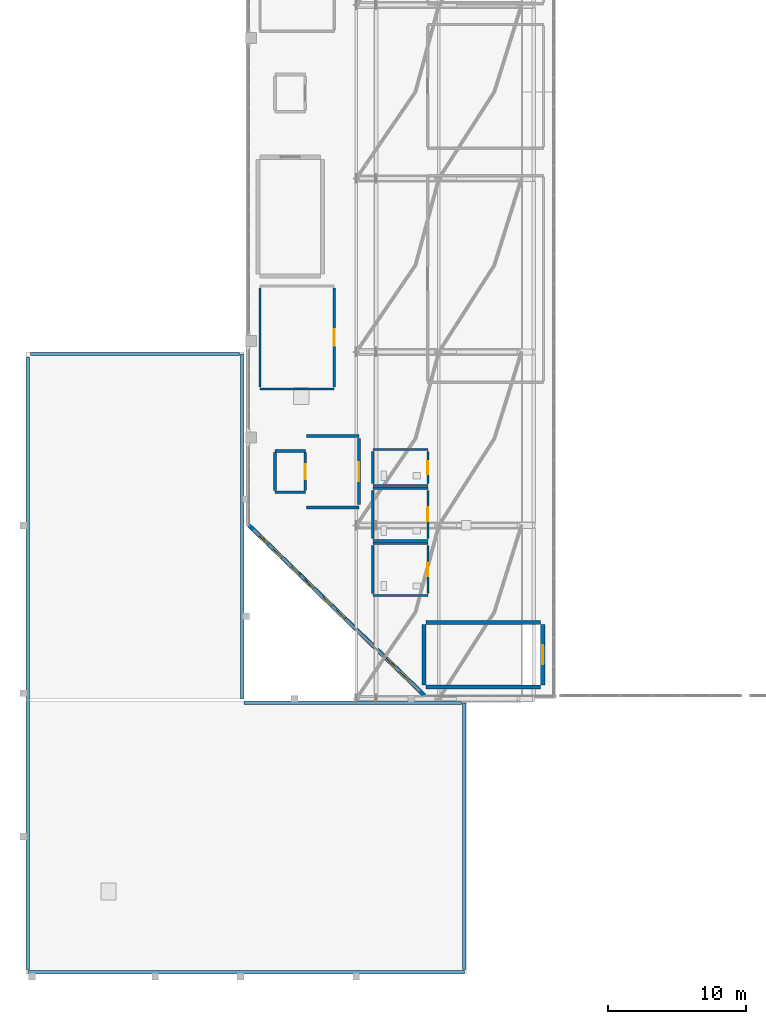
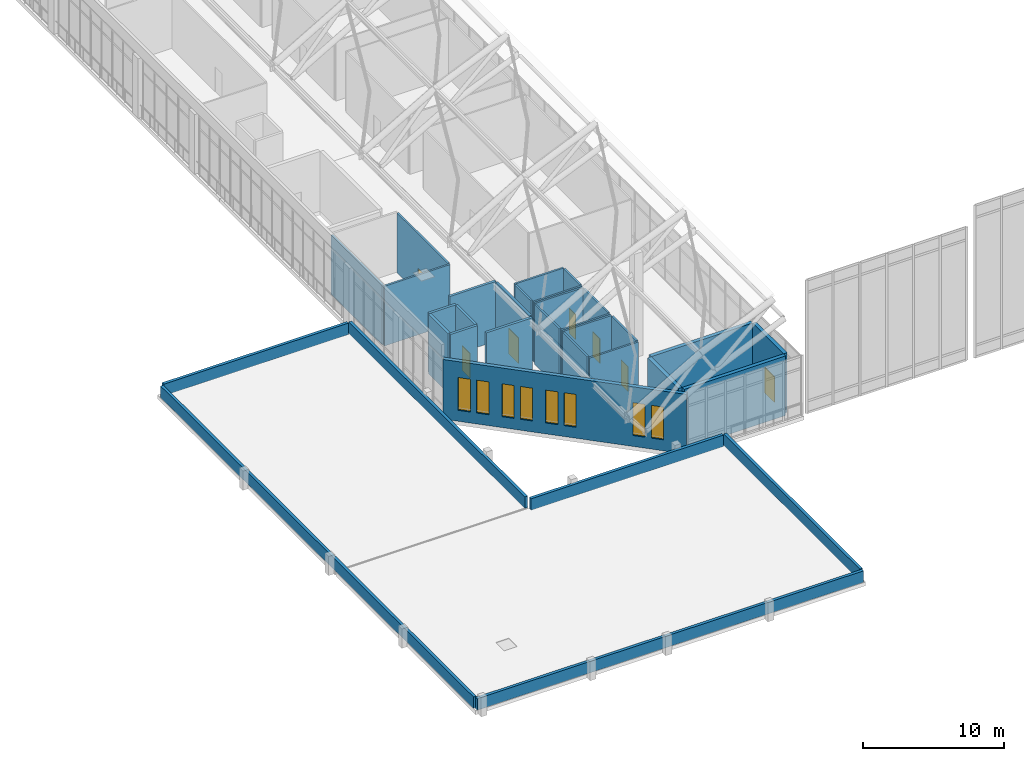
# One storey, part 36 of 42: 33 walls, 8 windows, 7 doors, 15 openings.
"""IFC4 building model written with IfcOpenShell, lengths in metres."""

from ifc_helpers import new_model, si_unit, derived_unit, direction, frame, frame_2d, origin, place, context, subcontext, project, spatial, rectangle, extrude, material, layer, layer_set, type_object, element, fill, save


model = new_model("IFC4")

# Units and contexts
model_context = context("Model", 3, precision=1e-05, world=origin(), true_north=direction((0.0, 1.0)))
body_context = subcontext(model_context, "Body", "Model", "MODEL_VIEW")
ifc_project = project(units=[si_unit("LENGTHUNIT", "METRE"), si_unit("AREAUNIT", "SQUARE_METRE"), si_unit("VOLUMEUNIT", "CUBIC_METRE"), si_unit("PLANEANGLEUNIT", "RADIAN"), si_unit("MASSUNIT", "GRAM", prefix="KILO"), derived_unit("THERMALTRANSMITTANCEUNIT", [(si_unit("MASSUNIT", "GRAM", prefix="KILO"), 1), (si_unit("TIMEUNIT", "SECOND"), -3), (si_unit("THERMODYNAMICTEMPERATUREUNIT", "KELVIN"), -1)])], contexts=[model_context])

# Site, building, storey
site_placement = place(None, origin())
site = spatial("IfcSite", under=ifc_project, at=site_placement, CompositionType="ELEMENT")
building_placement = place(site_placement, origin())
building = spatial("IfcBuilding", under=site, at=building_placement, Name="Valcora Ridge Arena", CompositionType="ELEMENT")
storey_placement = place(building_placement, frame((0.0, 0.0, 26.39990234375)))
storey = spatial("IfcBuildingStorey", under=building, at=storey_placement, Name="L05", CompositionType="ELEMENT", Elevation=26.39990234375)

# Wall, openings, windows
ifc_material_1 = material(Name="Bush-hammered Andean travertine on concrete backup C40/50", Category="masonry")
ifc_layer_1 = layer(ifc_material_1, 0.300048828125, Name="Bush-hammered Andean travertine on concrete backup C40/50")
ifc_layer_set_1 = layer_set([ifc_layer_1], Name="Bush-hammered Andean travertine on concrete backup C40/50")
wall_type_1 = type_object("IfcWallType", Name="TY-WALL-EW-TRV-30-52", PredefinedType="STANDARD", material=ifc_layer_set_1)
wall_1_placement = place(storey_placement, frame((16.199951171875, 32.60009765625, 0.0), z_axis=(0.0, 0.0, 1.0), x_axis=(0.718237441527, -0.695798086796, 0.0)))
wall_1 = element("IfcWall", 1, at=wall_1_placement, inside=storey, type_object=wall_type_1, Name="EW-TRV-30-52 WAL-EW-0063", PredefinedType="STANDARD", context=body_context, shape_type="SweptSolid", body=[
    extrude(rectangle(XDim=17.821533203125, YDim=0.300048828125, at=frame_2d((8.91064453125, 0.0))), origin(), (0.0, 0.0, 1.0), 5.18017578125),
])
opening_1_placement = place(wall_1_placement, frame((1.10009765625, 0.0, 0.949951171875)))
opening_1 = element("IfcOpeningElement", 2, at=opening_1_placement, cuts=wall_1, Name="Opening W-GLAN-90X285", PredefinedType="OPENING", context=body_context, shape_type="SweptSolid", body=[
    extrude(rectangle(XDim=0.89990234375, YDim=2.85009765625, at=frame_2d((0.449951171875, 1.425048828125))), frame((0.0, 0.159912109375, 0.0), z_axis=(0.0, -1.0, 0.0), x_axis=(1.0, 0.0, 0.0)), (0.0, 0.0, 1.0), 0.320068359375),
])
opening_2_placement = place(wall_1_placement, frame((2.449951171875, 0.0, 0.949951171875)))
opening_2 = element("IfcOpeningElement", 3, at=opening_2_placement, cuts=wall_1, Name="Opening W-GLAN-90X285", PredefinedType="OPENING", context=body_context, shape_type="SweptSolid", body=[
    extrude(rectangle(XDim=0.89990234375, YDim=2.85009765625, at=frame_2d((0.449951171875, 1.425048828125))), frame((0.0, 0.159912109375, 0.0), z_axis=(0.0, -1.0, 0.0), x_axis=(1.0, 0.0, 0.0)), (0.0, 0.0, 1.0), 0.320068359375),
])
opening_3_placement = place(wall_1_placement, frame((4.300048828125, 0.0, 0.949951171875)))
opening_3 = element("IfcOpeningElement", 4, at=opening_3_placement, cuts=wall_1, Name="Opening W-GLAN-90X285", PredefinedType="OPENING", context=body_context, shape_type="SweptSolid", body=[
    extrude(rectangle(XDim=0.89990234375, YDim=2.85009765625, at=frame_2d((0.449951171875, 1.425048828125))), frame((0.0, 0.159912109375, 0.0), z_axis=(0.0, -1.0, 0.0), x_axis=(1.0, 0.0, 0.0)), (0.0, 0.0, 1.0), 0.320068359375),
])
opening_4_placement = place(wall_1_placement, frame((5.64990234375, 0.0, 0.949951171875)))
opening_4 = element("IfcOpeningElement", 5, at=opening_4_placement, cuts=wall_1, Name="Opening W-GLAN-90X285", PredefinedType="OPENING", context=body_context, shape_type="SweptSolid", body=[
    extrude(rectangle(XDim=0.89990234375, YDim=2.85009765625, at=frame_2d((0.449951171875, 1.425048828125))), frame((0.0, 0.159912109375, 0.0), z_axis=(0.0, -1.0, 0.0), x_axis=(1.0, 0.0, 0.0)), (0.0, 0.0, 1.0), 0.320068359375),
])
opening_5_placement = place(wall_1_placement, frame((7.5, 0.0, 0.949951171875)))
opening_5 = element("IfcOpeningElement", 6, at=opening_5_placement, cuts=wall_1, Name="Opening W-GLAN-90X285", PredefinedType="OPENING", context=body_context, shape_type="SweptSolid", body=[
    extrude(rectangle(XDim=0.89990234375, YDim=2.85009765625, at=frame_2d((0.449951171875, 1.425048828125))), frame((0.0, 0.159912109375, 0.0), z_axis=(0.0, -1.0, 0.0), x_axis=(1.0, 0.0, 0.0)), (0.0, 0.0, 1.0), 0.320068359375),
])
opening_6_placement = place(wall_1_placement, frame((8.85009765625, 0.0, 0.949951171875)))
opening_6 = element("IfcOpeningElement", 7, at=opening_6_placement, cuts=wall_1, Name="Opening W-GLAN-90X285", PredefinedType="OPENING", context=body_context, shape_type="SweptSolid", body=[
    extrude(rectangle(XDim=0.89990234375, YDim=2.85009765625, at=frame_2d((0.449951171875, 1.425048828125))), frame((0.0, 0.159912109375, 0.0), z_axis=(0.0, -1.0, 0.0), x_axis=(1.0, 0.0, 0.0)), (0.0, 0.0, 1.0), 0.320068359375),
])
opening_7_placement = place(wall_1_placement, frame((13.89990234375, 0.0, 0.949951171875)))
opening_7 = element("IfcOpeningElement", 8, at=opening_7_placement, cuts=wall_1, Name="Opening W-GLAN-90X285", PredefinedType="OPENING", context=body_context, shape_type="SweptSolid", body=[
    extrude(rectangle(XDim=0.89990234375, YDim=2.85009765625, at=frame_2d((0.449951171875, 1.425048828125))), frame((0.0, 0.159912109375, 0.0), z_axis=(0.0, -1.0, 0.0), x_axis=(1.0, 0.0, 0.0)), (0.0, 0.0, 1.0), 0.320068359375),
])
opening_8_placement = place(wall_1_placement, frame((15.25, 0.0, 0.949951171875)))
opening_8 = element("IfcOpeningElement", 9, at=opening_8_placement, cuts=wall_1, Name="Opening W-GLAN-90X285", PredefinedType="OPENING", context=body_context, shape_type="SweptSolid", body=[
    extrude(rectangle(XDim=0.89990234375, YDim=2.85009765625, at=frame_2d((0.449951171875, 1.425048828125))), frame((0.0, 0.159912109375, 0.0), z_axis=(0.0, -1.0, 0.0), x_axis=(1.0, 0.0, 0.0)), (0.0, 0.0, 1.0), 0.320068359375),
])
ifc_material_2 = material(Name="Low-iron solar-control double glazing SHGC 0.28", Category="glass")
window_type = type_object("IfcWindowType", Name="TY-WINDOW-W-GLAN-90X285", PartitioningType="DOUBLE_PANEL_VERTICAL", PredefinedType="WINDOW", material=ifc_material_2)
window_1_placement = place(opening_1_placement, origin())
window_1 = element("IfcWindow", 10, at=window_1_placement, inside=storey, type_object=window_type, Name="W-GLAN-90X285 WIN-EX-0161", OverallHeight=2.85009765625, OverallWidth=0.89990234375, PartitioningType="DOUBLE_PANEL_VERTICAL", PredefinedType="WINDOW", context=body_context, shape_type="SweptSolid", body=[
    extrude(rectangle(XDim=0.89990234375, YDim=2.85009765625, at=frame_2d((0.449951171875, 1.425048828125))), frame((0.0, 0.030029296875, 0.0), z_axis=(0.0, -1.0, 0.0), x_axis=(1.0, 0.0, 0.0)), (0.0, 0.0, 1.0), 0.06005859375),
])
fill(opening_1, window_1)
window_2_placement = place(opening_2_placement, origin())
window_2 = element("IfcWindow", 11, at=window_2_placement, inside=storey, type_object=window_type, Name="W-GLAN-90X285 WIN-EX-0162", OverallHeight=2.85009765625, OverallWidth=0.89990234375, PartitioningType="DOUBLE_PANEL_VERTICAL", PredefinedType="WINDOW", context=body_context, shape_type="SweptSolid", body=[
    extrude(rectangle(XDim=0.89990234375, YDim=2.85009765625, at=frame_2d((0.449951171875, 1.425048828125))), frame((0.0, 0.030029296875, 0.0), z_axis=(0.0, -1.0, 0.0), x_axis=(1.0, 0.0, 0.0)), (0.0, 0.0, 1.0), 0.06005859375),
])
fill(opening_2, window_2)
window_3_placement = place(opening_3_placement, origin())
window_3 = element("IfcWindow", 12, at=window_3_placement, inside=storey, type_object=window_type, Name="W-GLAN-90X285 WIN-EX-0163", OverallHeight=2.85009765625, OverallWidth=0.89990234375, PartitioningType="DOUBLE_PANEL_VERTICAL", PredefinedType="WINDOW", context=body_context, shape_type="SweptSolid", body=[
    extrude(rectangle(XDim=0.89990234375, YDim=2.85009765625, at=frame_2d((0.449951171875, 1.425048828125))), frame((0.0, 0.030029296875, 0.0), z_axis=(0.0, -1.0, 0.0), x_axis=(1.0, 0.0, 0.0)), (0.0, 0.0, 1.0), 0.06005859375),
])
fill(opening_3, window_3)
window_4_placement = place(opening_4_placement, origin())
window_4 = element("IfcWindow", 13, at=window_4_placement, inside=storey, type_object=window_type, Name="W-GLAN-90X285 WIN-EX-0164", OverallHeight=2.85009765625, OverallWidth=0.89990234375, PartitioningType="DOUBLE_PANEL_VERTICAL", PredefinedType="WINDOW", context=body_context, shape_type="SweptSolid", body=[
    extrude(rectangle(XDim=0.89990234375, YDim=2.85009765625, at=frame_2d((0.449951171875, 1.425048828125))), frame((0.0, 0.030029296875, 0.0), z_axis=(0.0, -1.0, 0.0), x_axis=(1.0, 0.0, 0.0)), (0.0, 0.0, 1.0), 0.06005859375),
])
fill(opening_4, window_4)
window_5_placement = place(opening_5_placement, origin())
window_5 = element("IfcWindow", 14, at=window_5_placement, inside=storey, type_object=window_type, Name="W-GLAN-90X285 WIN-EX-0165", OverallHeight=2.85009765625, OverallWidth=0.89990234375, PartitioningType="DOUBLE_PANEL_VERTICAL", PredefinedType="WINDOW", context=body_context, shape_type="SweptSolid", body=[
    extrude(rectangle(XDim=0.89990234375, YDim=2.85009765625, at=frame_2d((0.449951171875, 1.425048828125))), frame((0.0, 0.030029296875, 0.0), z_axis=(0.0, -1.0, 0.0), x_axis=(1.0, 0.0, 0.0)), (0.0, 0.0, 1.0), 0.06005859375),
])
fill(opening_5, window_5)
window_6_placement = place(opening_6_placement, origin())
window_6 = element("IfcWindow", 15, at=window_6_placement, inside=storey, type_object=window_type, Name="W-GLAN-90X285 WIN-EX-0166", OverallHeight=2.85009765625, OverallWidth=0.89990234375, PartitioningType="DOUBLE_PANEL_VERTICAL", PredefinedType="WINDOW", context=body_context, shape_type="SweptSolid", body=[
    extrude(rectangle(XDim=0.89990234375, YDim=2.85009765625, at=frame_2d((0.449951171875, 1.425048828125))), frame((0.0, 0.030029296875, 0.0), z_axis=(0.0, -1.0, 0.0), x_axis=(1.0, 0.0, 0.0)), (0.0, 0.0, 1.0), 0.06005859375),
])
fill(opening_6, window_6)
window_7_placement = place(opening_7_placement, origin())
window_7 = element("IfcWindow", 16, at=window_7_placement, inside=storey, type_object=window_type, Name="W-GLAN-90X285 WIN-EX-0167", OverallHeight=2.85009765625, OverallWidth=0.89990234375, PartitioningType="DOUBLE_PANEL_VERTICAL", PredefinedType="WINDOW", context=body_context, shape_type="SweptSolid", body=[
    extrude(rectangle(XDim=0.89990234375, YDim=2.85009765625, at=frame_2d((0.449951171875, 1.425048828125))), frame((0.0, 0.030029296875, 0.0), z_axis=(0.0, -1.0, 0.0), x_axis=(1.0, 0.0, 0.0)), (0.0, 0.0, 1.0), 0.06005859375),
])
fill(opening_7, window_7)
window_8_placement = place(opening_8_placement, origin())
window_8 = element("IfcWindow", 17, at=window_8_placement, inside=storey, type_object=window_type, Name="W-GLAN-90X285 WIN-EX-0168", OverallHeight=2.85009765625, OverallWidth=0.89990234375, PartitioningType="DOUBLE_PANEL_VERTICAL", PredefinedType="WINDOW", context=body_context, shape_type="SweptSolid", body=[
    extrude(rectangle(XDim=0.89990234375, YDim=2.85009765625, at=frame_2d((0.449951171875, 1.425048828125))), frame((0.0, 0.030029296875, 0.0), z_axis=(0.0, -1.0, 0.0), x_axis=(1.0, 0.0, 0.0)), (0.0, 0.0, 1.0), 0.06005859375),
])
fill(opening_8, window_8)

# Walls
ifc_material_3 = material(Name="Fire-rated masonry-core compartment wall C35/45 150 mm", Category="masonry")
ifc_layer_2 = layer(ifc_material_3, 0.14990234375, Name="Fire-rated masonry-core compartment wall C35/45 150 mm")
ifc_layer_set_2 = layer_set([ifc_layer_2], Name="Fire-rated masonry-core compartment wall C35/45 150 mm")
wall_type_2 = type_object("IfcWallType", Name="TY-WALL-IW-COMP-150", PredefinedType="STANDARD", material=ifc_layer_set_2)
for number, where, z_axis, x_axis, name in (
    (18, (25.199951171875, 27.5, 0.0), (0.0, 0.0, 1.0), (1.0, 0.0, 0.0), "IW-COMP-150 WAL-IN-0167"),
    (19, (25.199951171875, 31.300048828125, 0.0), (0.0, 0.0, 1.0), (1.0, 0.0, 0.0), "IW-COMP-150 WAL-IN-0168"),
):
    element("IfcWall", number, at=place(storey_placement, frame(where, z_axis=z_axis, x_axis=x_axis)), inside=storey, type_object=wall_type_2, Name=name, PredefinedType="STANDARD", context=body_context, shape_type="SweptSolid", body=[
        extrude(rectangle(XDim=4.0, YDim=0.14990234375, at=frame_2d((2.0, 0.0))), origin(), (0.0, 0.0, 1.0), 5.18017578125),
    ])
wall_2_placement = place(storey_placement, frame((25.199951171875, 27.64990234375, 0.0), z_axis=(0.0, 0.0, 1.0), x_axis=(0.0, 1.0, 0.0)))
element("IfcWall", 20, at=wall_2_placement, inside=storey, type_object=wall_type_2, Name="IW-COMP-150 WAL-IN-0169", PredefinedType="STANDARD", context=body_context, shape_type="SweptSolid", body=[
    extrude(rectangle(XDim=3.5, YDim=0.14990234375, at=frame_2d((1.75, 0.0))), origin(), (0.0, 0.0, 1.0), 5.18017578125),
])

# Wall, opening, door
wall_3_placement = place(storey_placement, frame((29.199951171875, 27.64990234375, 0.0), z_axis=(0.0, 0.0, 1.0), x_axis=(0.0, 1.0, 0.0)))
wall_3 = element("IfcWall", 21, at=wall_3_placement, inside=storey, type_object=wall_type_2, Name="IW-COMP-150 WAL-IN-0170", PredefinedType="STANDARD", context=body_context, shape_type="SweptSolid", body=[
    extrude(rectangle(XDim=3.5, YDim=0.14990234375, at=frame_2d((1.75, 0.0))), origin(), (0.0, 0.0, 1.0), 5.18017578125),
])
opening_9_placement = place(wall_3_placement, frame((1.25, 0.0, 0.0)))
opening_9 = element("IfcOpeningElement", 22, at=opening_9_placement, cuts=wall_3, Name="Opening D-WC-1000", PredefinedType="OPENING", context=body_context, shape_type="SweptSolid", body=[
    extrude(rectangle(XDim=1.0, YDim=2.14990234375, at=frame_2d((0.5, 1.074951171875))), frame((0.0, 0.0849609375, 0.0), z_axis=(0.0, -1.0, 0.0), x_axis=(1.0, 0.0, 0.0)), (0.0, 0.0, 1.0), 0.169921875),
])
ifc_material_4 = material(Name="Insulated fire-rated steel door leaf", Category="steel")
door_type_1 = type_object("IfcDoorType", Name="TY-DOOR-D-WC-1000", OperationType="NOTDEFINED", PredefinedType="DOOR", material=ifc_material_4)
door_1_placement = place(opening_9_placement, origin())
door_1 = element("IfcDoor", 23, at=door_1_placement, inside=storey, type_object=door_type_1, Name="D-WC-1000 DOR-IN-0046", OperationType="SINGLE_SWING_RIGHT", OverallHeight=2.14990234375, OverallWidth=1.0, PredefinedType="DOOR", context=body_context, shape_type="SweptSolid", body=[
    extrude(rectangle(XDim=1.0, YDim=2.14990234375, at=frame_2d((0.5, 1.074951171875))), frame((0.0, 0.02490234375, 0.0), z_axis=(0.0, -1.0, 0.0), x_axis=(1.0, 0.0, 0.0)), (0.0, 0.0, 1.0), 0.050048828125),
])
fill(opening_9, door_1)

# Walls
for number, where, z_axis, x_axis, name in (
    (24, (25.199951171875, 31.5, 0.0), (0.0, 0.0, 1.0), (1.0, 0.0, 0.0), "IW-COMP-150 WAL-IN-0171"),
    (25, (25.199951171875, 35.300048828125, 0.0), (0.0, 0.0, 1.0), (1.0, 0.0, 0.0), "IW-COMP-150 WAL-IN-0172"),
):
    element("IfcWall", number, at=place(storey_placement, frame(where, z_axis=z_axis, x_axis=x_axis)), inside=storey, type_object=wall_type_2, Name=name, PredefinedType="STANDARD", context=body_context, shape_type="SweptSolid", body=[
        extrude(rectangle(XDim=4.0, YDim=0.14990234375, at=frame_2d((2.0, 0.0))), origin(), (0.0, 0.0, 1.0), 5.18017578125),
    ])
wall_4_placement = place(storey_placement, frame((25.199951171875, 31.64990234375, 0.0), z_axis=(0.0, 0.0, 1.0), x_axis=(0.0, 1.0, 0.0)))
element("IfcWall", 26, at=wall_4_placement, inside=storey, type_object=wall_type_2, Name="IW-COMP-150 WAL-IN-0173", PredefinedType="STANDARD", context=body_context, shape_type="SweptSolid", body=[
    extrude(rectangle(XDim=3.5, YDim=0.14990234375, at=frame_2d((1.75, 0.0))), origin(), (0.0, 0.0, 1.0), 5.18017578125),
])

# Wall, opening, door
wall_5_placement = place(storey_placement, frame((29.199951171875, 31.64990234375, 0.0), z_axis=(0.0, 0.0, 1.0), x_axis=(0.0, 1.0, 0.0)))
wall_5 = element("IfcWall", 27, at=wall_5_placement, inside=storey, type_object=wall_type_2, Name="IW-COMP-150 WAL-IN-0174", PredefinedType="STANDARD", context=body_context, shape_type="SweptSolid", body=[
    extrude(rectangle(XDim=3.5, YDim=0.14990234375, at=frame_2d((1.75, 0.0))), origin(), (0.0, 0.0, 1.0), 5.18017578125),
])
opening_10_placement = place(wall_5_placement, frame((1.25, 0.0, 0.0)))
opening_10 = element("IfcOpeningElement", 28, at=opening_10_placement, cuts=wall_5, Name="Opening D-WC-1000", PredefinedType="OPENING", context=body_context, shape_type="SweptSolid", body=[
    extrude(rectangle(XDim=1.0, YDim=2.14990234375, at=frame_2d((0.5, 1.074951171875))), frame((0.0, 0.0849609375, 0.0), z_axis=(0.0, -1.0, 0.0), x_axis=(1.0, 0.0, 0.0)), (0.0, 0.0, 1.0), 0.169921875),
])
door_2_placement = place(opening_10_placement, origin())
door_2 = element("IfcDoor", 29, at=door_2_placement, inside=storey, type_object=door_type_1, Name="D-WC-1000 DOR-IN-0047", OperationType="SINGLE_SWING_LEFT", OverallHeight=2.14990234375, OverallWidth=1.0, PredefinedType="DOOR", context=body_context, shape_type="SweptSolid", body=[
    extrude(rectangle(XDim=1.0, YDim=2.14990234375, at=frame_2d((0.5, 1.074951171875))), frame((0.0, 0.02490234375, 0.0), z_axis=(0.0, -1.0, 0.0), x_axis=(1.0, 0.0, 0.0)), (0.0, 0.0, 1.0), 0.050048828125),
])
fill(opening_10, door_2)

# Walls
for number, where, z_axis, x_axis, name in (
    (30, (25.199951171875, 35.5, 0.0), (0.0, 0.0, 1.0), (1.0, 0.0, 0.0), "IW-COMP-150 WAL-IN-0175"),
    (31, (25.199951171875, 38.10009765625, 0.0), (0.0, 0.0, 1.0), (1.0, 0.0, 0.0), "IW-COMP-150 WAL-IN-0176"),
):
    element("IfcWall", number, at=place(storey_placement, frame(where, z_axis=z_axis, x_axis=x_axis)), inside=storey, type_object=wall_type_2, Name=name, PredefinedType="STANDARD", context=body_context, shape_type="SweptSolid", body=[
        extrude(rectangle(XDim=4.0, YDim=0.14990234375, at=frame_2d((2.0, 0.0))), origin(), (0.0, 0.0, 1.0), 5.18017578125),
    ])
wall_6_placement = place(storey_placement, frame((25.199951171875, 35.64990234375, 0.0), z_axis=(0.0, 0.0, 1.0), x_axis=(0.0, 1.0, 0.0)))
element("IfcWall", 32, at=wall_6_placement, inside=storey, type_object=wall_type_2, Name="IW-COMP-150 WAL-IN-0177", PredefinedType="STANDARD", context=body_context, shape_type="SweptSolid", body=[
    extrude(rectangle(XDim=2.300048828125, YDim=0.14990234375, at=frame_2d((1.14990234375, 0.0))), origin(), (0.0, 0.0, 1.0), 5.18017578125),
])

# Wall, opening, door
wall_7_placement = place(storey_placement, frame((29.199951171875, 35.64990234375, 0.0), z_axis=(0.0, 0.0, 1.0), x_axis=(0.0, 1.0, 0.0)))
wall_7 = element("IfcWall", 33, at=wall_7_placement, inside=storey, type_object=wall_type_2, Name="IW-COMP-150 WAL-IN-0178", PredefinedType="STANDARD", context=body_context, shape_type="SweptSolid", body=[
    extrude(rectangle(XDim=2.300048828125, YDim=0.14990234375, at=frame_2d((1.14990234375, 0.0))), origin(), (0.0, 0.0, 1.0), 5.18017578125),
])
opening_11_placement = place(wall_7_placement, frame((0.675048828125, 0.0, 0.0)))
opening_11 = element("IfcOpeningElement", 34, at=opening_11_placement, cuts=wall_7, Name="Opening D-WC-950", PredefinedType="OPENING", context=body_context, shape_type="SweptSolid", body=[
    extrude(rectangle(XDim=0.949951171875, YDim=2.14990234375, at=frame_2d((0.47509765625, 1.074951171875))), frame((0.0, 0.0849609375, 0.0), z_axis=(0.0, -1.0, 0.0), x_axis=(1.0, 0.0, 0.0)), (0.0, 0.0, 1.0), 0.169921875),
])
door_type_2 = type_object("IfcDoorType", Name="TY-DOOR-D-WC-950", OperationType="NOTDEFINED", PredefinedType="DOOR", material=ifc_material_4)
door_3_placement = place(opening_11_placement, origin())
door_3 = element("IfcDoor", 35, at=door_3_placement, inside=storey, type_object=door_type_2, Name="D-WC-950 DOR-IN-0048", OperationType="SINGLE_SWING_RIGHT", OverallHeight=2.14990234375, OverallWidth=0.949951171875, PredefinedType="DOOR", context=body_context, shape_type="SweptSolid", body=[
    extrude(rectangle(XDim=0.949951171875, YDim=2.14990234375, at=frame_2d((0.47509765625, 1.074951171875))), frame((0.0, 0.02490234375, 0.0), z_axis=(0.0, -1.0, 0.0), x_axis=(1.0, 0.0, 0.0)), (0.0, 0.0, 1.0), 0.050048828125),
])
fill(opening_11, door_3)

# Walls
wall_8_placement = place(storey_placement, frame((17.0, 42.5, 0.0), z_axis=(0.0, 0.0, 1.0), x_axis=(1.0, 0.0, 0.0)))
element("IfcWall", 36, at=wall_8_placement, inside=storey, type_object=wall_type_2, Name="IW-COMP-150 WAL-IN-0499", PredefinedType="STANDARD", context=body_context, shape_type="SweptSolid", body=[
    extrude(rectangle(XDim=5.39990234375, YDim=0.14990234375, at=frame_2d((2.699951171875, 0.0))), origin(), (0.0, 0.0, 1.0), 5.18017578125),
])
wall_9_placement = place(storey_placement, frame((17.0, 42.64990234375, 0.0), z_axis=(0.0, 0.0, 1.0), x_axis=(0.0, 1.0, 0.0)))
element("IfcWall", 37, at=wall_9_placement, inside=storey, type_object=wall_type_2, Name="IW-COMP-150 WAL-IN-0501", PredefinedType="STANDARD", context=body_context, shape_type="SweptSolid", body=[
    extrude(rectangle(XDim=7.2001953125, YDim=0.14990234375, at=frame_2d((3.60009765625, 0.0))), origin(), (0.0, 0.0, 1.0), 5.18017578125),
])

# Wall, opening, door
wall_10_placement = place(storey_placement, frame((22.39990234375, 42.64990234375, 0.0), z_axis=(0.0, 0.0, 1.0), x_axis=(0.0, 1.0, 0.0)))
wall_10 = element("IfcWall", 38, at=wall_10_placement, inside=storey, type_object=wall_type_2, Name="IW-COMP-150 WAL-IN-0502", PredefinedType="STANDARD", context=body_context, shape_type="SweptSolid", body=[
    extrude(rectangle(XDim=7.2001953125, YDim=0.14990234375, at=frame_2d((3.60009765625, 0.0))), origin(), (0.0, 0.0, 1.0), 5.18017578125),
])
opening_12_placement = place(wall_10_placement, frame((3.0, 0.0, 0.0)))
opening_12 = element("IfcOpeningElement", 39, at=opening_12_placement, cuts=wall_10, Name="Opening FD-KIT-1200", PredefinedType="OPENING", context=body_context, shape_type="SweptSolid", body=[
    extrude(rectangle(XDim=1.199951171875, YDim=2.199951171875, at=frame_2d((0.60009765625, 1.10009765625))), frame((0.0, 0.0849609375, 0.0), z_axis=(0.0, -1.0, 0.0), x_axis=(1.0, 0.0, 0.0)), (0.0, 0.0, 1.0), 0.169921875),
])
door_type_3 = type_object("IfcDoorType", Name="TY-DOOR-FD-KIT-1200", OperationType="NOTDEFINED", PredefinedType="DOOR", material=ifc_material_4)
door_4_placement = place(opening_12_placement, origin())
door_4 = element("IfcDoor", 40, at=door_4_placement, inside=storey, type_object=door_type_3, Name="FD-KIT-1200 DOR-IN-0130", OperationType="SINGLE_SWING_RIGHT", OverallHeight=2.199951171875, OverallWidth=1.199951171875, PredefinedType="DOOR", context=body_context, shape_type="SweptSolid", body=[
    extrude(rectangle(XDim=1.199951171875, YDim=2.199951171875, at=frame_2d((0.60009765625, 1.10009765625))), frame((0.0, 0.02490234375, 0.0), z_axis=(0.0, -1.0, 0.0), x_axis=(1.0, 0.0, 0.0)), (0.0, 0.0, 1.0), 0.050048828125),
])
fill(opening_12, door_4)

# Walls
ifc_material_5 = material(Name="Fire-resisting reinforced concrete enclosure C40/50 200 mm", Category="concrete")
ifc_layer_3 = layer(ifc_material_5, 0.199951171875, Name="Fire-resisting reinforced concrete enclosure C40/50 200 mm")
ifc_layer_set_3 = layer_set([ifc_layer_3], Name="Fire-resisting reinforced concrete enclosure C40/50 200 mm")
wall_type_3 = type_object("IfcWallType", Name="TY-WALL-IW-FIRE-200", PredefinedType="STANDARD", material=ifc_layer_set_3)
for number, where, z_axis, x_axis, name in (
    (41, (20.39990234375, 33.89990234375, 0.0), (0.0, 0.0, 1.0), (1.0, 0.0, 0.0), "IW-FIRE-200 WAL-IN-0019"),
    (42, (20.39990234375, 39.10009765625, 0.0), (0.0, 0.0, 1.0), (1.0, 0.0, 0.0), "IW-FIRE-200 WAL-IN-0020"),
):
    element("IfcWall", number, at=place(storey_placement, frame(where, z_axis=z_axis, x_axis=x_axis)), inside=storey, type_object=wall_type_3, Name=name, PredefinedType="STANDARD", context=body_context, shape_type="SweptSolid", body=[
        extrude(rectangle(XDim=3.800048828125, YDim=0.199951171875, at=frame_2d((1.89990234375, 0.0))), origin(), (0.0, 0.0, 1.0), 5.18017578125),
    ])

# Wall, opening, door
wall_11_placement = place(storey_placement, frame((24.199951171875, 34.10009765625, 0.0), z_axis=(0.0, 0.0, 1.0), x_axis=(0.0, 1.0, 0.0)))
wall_11 = element("IfcWall", 43, at=wall_11_placement, inside=storey, type_object=wall_type_3, Name="IW-FIRE-200 WAL-IN-0021", PredefinedType="STANDARD", context=body_context, shape_type="SweptSolid", body=[
    extrude(rectangle(XDim=4.7998046875, YDim=0.199951171875, at=frame_2d((2.39990234375, 0.0))), origin(), (0.0, 0.0, 1.0), 5.18017578125),
])
opening_13_placement = place(wall_11_placement, frame((1.699951171875, 0.0, 0.0)))
opening_13 = element("IfcOpeningElement", 44, at=opening_13_placement, cuts=wall_11, Name="Opening FD-FFL-1400", PredefinedType="OPENING", context=body_context, shape_type="SweptSolid", body=[
    extrude(rectangle(XDim=1.39990234375, YDim=2.199951171875, at=frame_2d((0.699951171875, 1.10009765625))), frame((0.0, 0.10986328125, 0.0), z_axis=(0.0, -1.0, 0.0), x_axis=(1.0, 0.0, 0.0)), (0.0, 0.0, 1.0), 0.219970703125),
])
door_type_4 = type_object("IfcDoorType", Name="TY-DOOR-FD-FFL-1400", OperationType="NOTDEFINED", PredefinedType="DOOR", material=ifc_material_4)
door_5_placement = place(opening_13_placement, origin())
door_5 = element("IfcDoor", 45, at=door_5_placement, inside=storey, type_object=door_type_4, Name="FD-FFL-1400 DOR-IN-0007", OperationType="DOUBLE_DOOR_SINGLE_SWING", OverallHeight=2.199951171875, OverallWidth=1.39990234375, PredefinedType="DOOR", context=body_context, shape_type="SweptSolid", body=[
    extrude(rectangle(XDim=1.39990234375, YDim=2.199951171875, at=frame_2d((0.699951171875, 1.10009765625))), frame((0.0, 0.02490234375, 0.0), z_axis=(0.0, -1.0, 0.0), x_axis=(1.0, 0.0, 0.0)), (0.0, 0.0, 1.0), 0.050048828125),
])
fill(opening_13, door_5)

# Walls
ifc_material_6 = material(Name="Concrete C40/50", Category="concrete")
ifc_layer_4 = layer(ifc_material_6, 0.199951171875, Name="Concrete C40/50")
ifc_layer_set_4 = layer_set([ifc_layer_4], Name="Concrete C40/50")
wall_type_4 = type_object("IfcWallType", Name="TY-WALL-IW-SHF-200", PredefinedType="STANDARD", material=ifc_layer_set_4)
for number, where, z_axis, x_axis, name in (
    (46, (18.10009765625, 35.0, 0.0), (0.0, 0.0, 1.0), (1.0, 0.0, 0.0), "IW-SHF-200 WAL-SH-0025"),
    (47, (18.10009765625, 38.0, 0.0), (0.0, 0.0, 1.0), (1.0, 0.0, 0.0), "IW-SHF-200 WAL-SH-0026"),
):
    element("IfcWall", number, at=place(storey_placement, frame(where, z_axis=z_axis, x_axis=x_axis)), inside=storey, type_object=wall_type_4, Name=name, PredefinedType="STANDARD", context=body_context, shape_type="SweptSolid", body=[
        extrude(rectangle(XDim=2.199951171875, YDim=0.199951171875, at=frame_2d((1.10009765625, 0.0))), origin(), (0.0, 0.0, 1.0), 5.18017578125),
    ])
wall_12_placement = place(storey_placement, frame((18.10009765625, 35.1201171875, 0.0), z_axis=(0.0, 0.0, 1.0), x_axis=(0.0, 1.0, 0.0)))
element("IfcWall", 48, at=wall_12_placement, inside=storey, type_object=wall_type_4, Name="IW-SHF-200 WAL-SH-0027", PredefinedType="STANDARD", context=body_context, shape_type="SweptSolid", body=[
    extrude(rectangle(XDim=2.759765625, YDim=0.199951171875, at=frame_2d((1.3798828125, 0.0))), origin(), (0.0, 0.0, 1.0), 5.18017578125),
])

# Wall, opening, door
wall_13_placement = place(storey_placement, frame((20.300048828125, 35.1201171875, 0.0), z_axis=(0.0, 0.0, 1.0), x_axis=(0.0, 1.0, 0.0)))
wall_13 = element("IfcWall", 49, at=wall_13_placement, inside=storey, type_object=wall_type_4, Name="IW-SHF-200 WAL-SH-0028", PredefinedType="STANDARD", context=body_context, shape_type="SweptSolid", body=[
    extrude(rectangle(XDim=2.759765625, YDim=0.199951171875, at=frame_2d((1.3798828125, 0.0))), origin(), (0.0, 0.0, 1.0), 5.18017578125),
])
opening_14_placement = place(wall_13_placement, frame((0.830078125, 0.0, 0.0)))
opening_14 = element("IfcOpeningElement", 50, at=opening_14_placement, cuts=wall_13, Name="Opening LD-FF", PredefinedType="OPENING", context=body_context, shape_type="SweptSolid", body=[
    extrude(rectangle(XDim=1.10009765625, YDim=2.14990234375, at=frame_2d((0.550048828125, 1.074951171875))), frame((0.0, 0.10986328125, 0.0), z_axis=(0.0, -1.0, 0.0), x_axis=(1.0, 0.0, 0.0)), (0.0, 0.0, 1.0), 0.219970703125),
])
ifc_material_7 = material(Name="Insulated fire-rated hollow metal steel", Category="steel")
door_type_5 = type_object("IfcDoorType", Name="TY-DOOR-LD-FF", OperationType="NOTDEFINED", PredefinedType="DOOR", material=ifc_material_7)
door_6_placement = place(opening_14_placement, origin())
door_6 = element("IfcDoor", 51, at=door_6_placement, inside=storey, type_object=door_type_5, Name="FFL1 Landing Door L05", OperationType="SLIDING_TO_LEFT", OverallHeight=2.14990234375, OverallWidth=1.10009765625, PredefinedType="DOOR", context=body_context, shape_type="SweptSolid", body=[
    extrude(rectangle(XDim=1.10009765625, YDim=2.14990234375, at=frame_2d((0.550048828125, 1.074951171875))), frame((0.0, 0.02490234375, 0.0), z_axis=(0.0, -1.0, 0.0), x_axis=(1.0, 0.0, 0.0)), (0.0, 0.0, 1.0), 0.050048828125),
])
fill(opening_14, door_6)

# Walls
ifc_material_8 = material(Name="Concrete C45/55", Category="concrete")
ifc_layer_5 = layer(ifc_material_8, 0.300048828125, Name="Concrete C45/55")
ifc_layer_set_5 = layer_set([ifc_layer_5], Name="Concrete C45/55")
wall_type_5 = type_object("IfcWallType", Name="TY-WALL-SW-C300-L", PredefinedType="SHEAR", material=ifc_layer_set_5)
for number, where, z_axis, x_axis, name in (
    (52, (29.080078125, 20.85009765625, 0.0), (0.0, 0.0, 1.0), (1.0, 0.0, 0.0), "SW-C300-L WAL-CR-0025"),
    (53, (29.080078125, 25.550048828125, 0.0), (0.0, 0.0, 1.0), (1.0, 0.0, 0.0), "SW-C300-L WAL-CR-0026"),
):
    element("IfcWall", number, at=place(storey_placement, frame(where, z_axis=z_axis, x_axis=x_axis)), inside=storey, type_object=wall_type_5, Name=name, PredefinedType="SHEAR", context=body_context, shape_type="SweptSolid", body=[
        extrude(rectangle(XDim=8.31982421875, YDim=0.300048828125, at=frame_2d((4.159912109375, 0.0))), origin(), (0.0, 0.0, 1.0), 5.18017578125),
    ])
ifc_layer_6 = layer(ifc_material_8, 0.300048828125, Name="Concrete C45/55")
ifc_layer_set_6 = layer_set([ifc_layer_6], Name="Concrete C45/55")
wall_type_6 = type_object("IfcWallType", Name="TY-WALL-SW-C300-S", PredefinedType="SHEAR", material=ifc_layer_set_6)
wall_14_placement = place(storey_placement, frame((28.929931640625, 21.0, 0.0), z_axis=(0.0, 0.0, 1.0), x_axis=(0.0, 1.0, 0.0)))
element("IfcWall", 54, at=wall_14_placement, inside=storey, type_object=wall_type_6, Name="SW-C300-S WAL-CR-0027", PredefinedType="SHEAR", context=body_context, shape_type="SweptSolid", body=[
    extrude(rectangle(XDim=4.39990234375, YDim=0.300048828125, at=frame_2d((2.199951171875, 0.0))), origin(), (0.0, 0.0, 1.0), 5.18017578125),
])

# Wall, opening, door
wall_15_placement = place(storey_placement, frame((37.550048828125, 21.0, 0.0), z_axis=(0.0, 0.0, 1.0), x_axis=(0.0, 1.0, 0.0)))
wall_15 = element("IfcWall", 55, at=wall_15_placement, inside=storey, type_object=wall_type_6, Name="SW-C300-S WAL-CR-0028", PredefinedType="SHEAR", context=body_context, shape_type="SweptSolid", body=[
    extrude(rectangle(XDim=4.39990234375, YDim=0.300048828125, at=frame_2d((2.199951171875, 0.0))), origin(), (0.0, 0.0, 1.0), 5.18017578125),
])
opening_15_placement = place(wall_15_placement, frame((1.5, 0.0, 0.0)))
opening_15 = element("IfcOpeningElement", 56, at=opening_15_placement, cuts=wall_15, Name="Opening FD-01", PredefinedType="OPENING", context=body_context, shape_type="SweptSolid", body=[
    extrude(rectangle(XDim=1.39990234375, YDim=2.199951171875, at=frame_2d((0.699951171875, 1.10009765625))), frame((0.0, 0.159912109375, 0.0), z_axis=(0.0, -1.0, 0.0), x_axis=(1.0, 0.0, 0.0)), (0.0, 0.0, 1.0), 0.320068359375),
])
door_type_6 = type_object("IfcDoorType", Name="TY-DOOR-FD-01", OperationType="NOTDEFINED", PredefinedType="DOOR", material=ifc_material_4)
door_7_placement = place(opening_15_placement, origin())
door_7 = element("IfcDoor", 57, at=door_7_placement, inside=storey, type_object=door_type_6, Name="FD-01 DOR-ST-0007", OperationType="DOUBLE_DOOR_SINGLE_SWING", OverallHeight=2.199951171875, OverallWidth=1.39990234375, PredefinedType="DOOR", context=body_context, shape_type="SweptSolid", body=[
    extrude(rectangle(XDim=1.39990234375, YDim=2.199951171875, at=frame_2d((0.699951171875, 1.10009765625))), frame((0.0, 0.02490234375, 0.0), z_axis=(0.0, -1.0, 0.0), x_axis=(1.0, 0.0, 0.0)), (0.0, 0.0, 1.0), 0.050048828125),
])
fill(opening_15, door_7)

# Walls
ifc_layer_7 = layer(ifc_material_1, 0.239990234375, Name="Bush-hammered Andean travertine on concrete backup C40/50")
ifc_layer_set_7 = layer_set([ifc_layer_7], Name="Bush-hammered Andean travertine on concrete backup C40/50")
wall_type_7 = type_object("IfcWallType", Name="TY-WALL-WP-PARA-240", PredefinedType="PARAPET", material=ifc_layer_set_7)
wall_16_placement = place(storey_placement, frame((0.14990234375, 0.14990234375, 0.0), z_axis=(0.0, 0.0, 1.0), x_axis=(1.0, 0.0, 0.0)))
element("IfcWall", 58, at=wall_16_placement, inside=storey, type_object=wall_type_7, Name="WP-PARA-240 WAL-PP-0006", PredefinedType="PARAPET", context=body_context, shape_type="SweptSolid", body=[
    extrude(rectangle(XDim=31.7001953125, YDim=0.239990234375, at=frame_2d((15.85009765625, 0.0))), origin(), (0.0, 0.0, 1.0), 1.0),
])
wall_17_placement = place(storey_placement, frame((31.85009765625, 0.35009765625, 0.0), z_axis=(0.0, 0.0, 1.0), x_axis=(0.0, 1.0, 0.0)))
element("IfcWall", 59, at=wall_17_placement, inside=storey, type_object=wall_type_7, Name="WP-PARA-240 WAL-PP-0007", PredefinedType="PARAPET", context=body_context, shape_type="SweptSolid", body=[
    extrude(rectangle(XDim=19.349853515625, YDim=0.239990234375, at=frame_2d((9.6748046875, 0.0))), origin(), (0.0, 0.0, 1.0), 1.0),
])
wall_18_placement = place(storey_placement, frame((15.85009765625, 19.699951171875, 0.0), z_axis=(0.0, 0.0, 1.0), x_axis=(1.0, 0.0, 0.0)))
element("IfcWall", 60, at=wall_18_placement, inside=storey, type_object=wall_type_7, Name="WP-PARA-240 WAL-PP-0008", PredefinedType="PARAPET", context=body_context, shape_type="SweptSolid", body=[
    extrude(rectangle(XDim=15.7998046875, YDim=0.239990234375, at=frame_2d((7.89990234375, 0.0))), origin(), (0.0, 0.0, 1.0), 1.0),
])
wall_19_placement = place(storey_placement, frame((15.699951171875, 20.0, 0.0), z_axis=(0.0, 0.0, 1.0), x_axis=(0.0, 1.0, 0.0)))
element("IfcWall", 61, at=wall_19_placement, inside=storey, type_object=wall_type_7, Name="WP-PARA-240 WAL-PP-0009", PredefinedType="PARAPET", context=body_context, shape_type="SweptSolid", body=[
    extrude(rectangle(XDim=25.050048828125, YDim=0.239990234375, at=frame_2d((12.52490234375, 0.0))), origin(), (0.0, 0.0, 1.0), 1.0),
])
wall_20_placement = place(storey_placement, frame((0.35009765625, 45.050048828125, 0.0), z_axis=(0.0, 0.0, 1.0), x_axis=(1.0, 0.0, 0.0)))
element("IfcWall", 62, at=wall_20_placement, inside=storey, type_object=wall_type_7, Name="WP-PARA-240 WAL-PP-0010", PredefinedType="PARAPET", context=body_context, shape_type="SweptSolid", body=[
    extrude(rectangle(XDim=15.14990234375, YDim=0.239990234375, at=frame_2d((7.574951171875, 0.0))), origin(), (0.0, 0.0, 1.0), 1.0),
])
wall_21_placement = place(storey_placement, frame((0.14990234375, 0.35009765625, 0.0), z_axis=(0.0, 0.0, 1.0), x_axis=(0.0, 1.0, 0.0)))
element("IfcWall", 63, at=wall_21_placement, inside=storey, type_object=wall_type_7, Name="WP-PARA-240 WAL-PP-0011", PredefinedType="PARAPET", context=body_context, shape_type="SweptSolid", body=[
    extrude(rectangle(XDim=44.5, YDim=0.239990234375, at=frame_2d((22.25, 0.0))), origin(), (0.0, 0.0, 1.0), 1.0),
])

save(model, "model.ifc")
